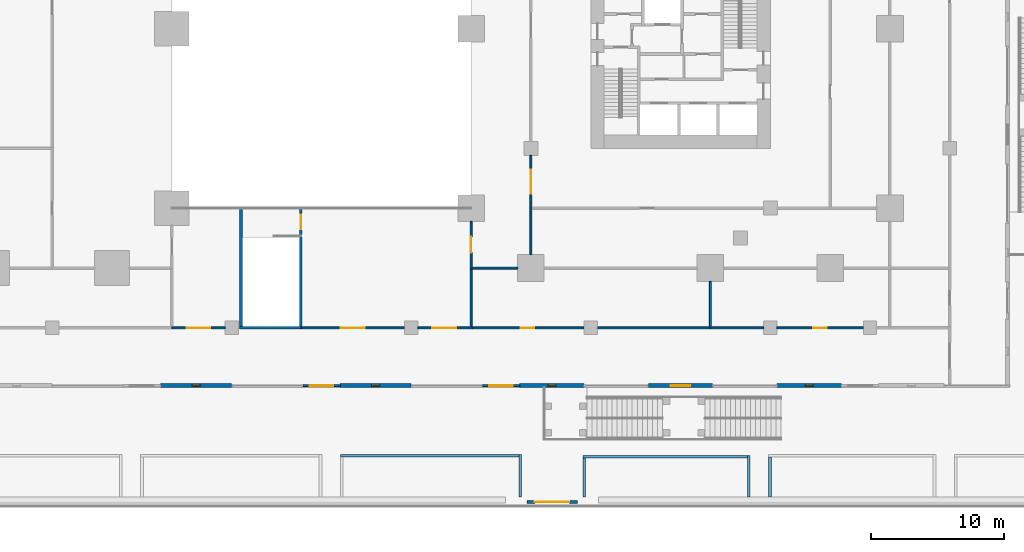
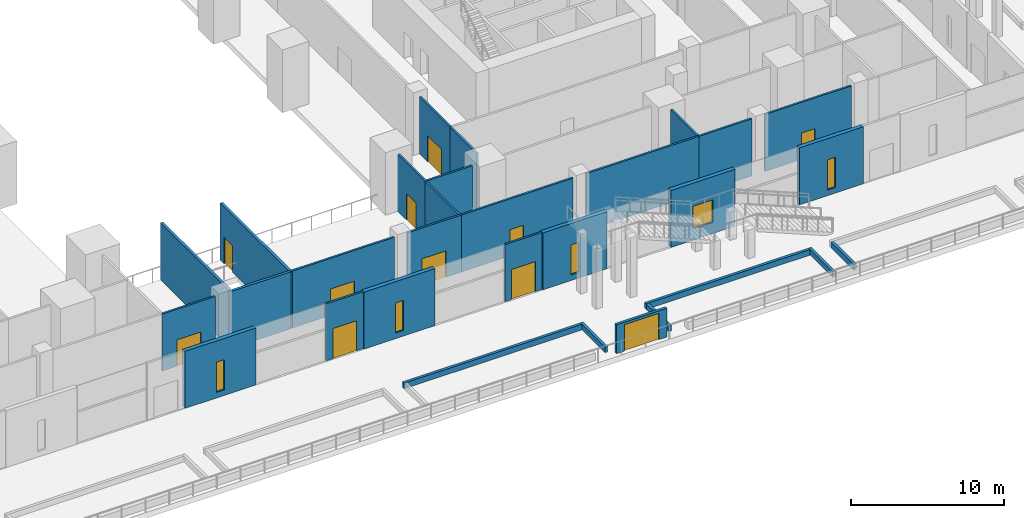
# One storey, part 34 of 49: 30 walls, 11 doors, 5 windows, 16 openings.
"""IFC4 building model written with IfcOpenShell, lengths in metres."""

import ifcopenshell
import ifcopenshell.guid

model = None  # the IFC model being written
_history = None  # IfcOwnerHistory: only IFC2X3 demands one
_inside = {}  # id of a spatial element -> (the spatial element, [elements in it])
_under = {}  # id of a project, library or spatial element -> (it, [spatial elements below it])
_declared = {}  # id of a project -> (the project, [libraries it declares])
_typed = {}  # id of a type object -> (the type object, [elements of that type])
_made_of = {}  # id of a material, layer set ... -> (it, [elements and type objects made of it])


def new_model(schema):
    """Start an empty IFC model of exactly this schema.

    Asked for "IFC4X3", IfcOpenShell would pick the latest addendum, in which some entities
    have other attributes; the version numbers below select the first issue.
    IFC2X3 requires an IfcOwnerHistory on every rooted entity: one is made here for all.
    """
    global model, _history
    if schema == "IFC4X3":
        model = ifcopenshell.file(schema_version=(4, 3, 0, 0))
    else:
        model = ifcopenshell.file(schema=schema)
    _inside.clear()
    _under.clear()
    _declared.clear()
    _typed.clear()
    _made_of.clear()
    _history = None
    if model.schema == "IFC2X3":
        org = make("IfcOrganization", Name="unknown")
        user = make(
            "IfcPersonAndOrganization",
            ThePerson=make("IfcPerson", FamilyName="unknown"),
            TheOrganization=org,
        )
        app = make(
            "IfcApplication",
            ApplicationDeveloper=org,
            Version="unknown",
            ApplicationFullName="unknown",
            ApplicationIdentifier="unknown",
        )
        _history = make(
            "IfcOwnerHistory",
            OwningUser=user,
            OwningApplication=app,
            ChangeAction="ADDED",
            CreationDate=0,
        )
    return model


def make(cls, **values):
    """One entity of the class cls with the attributes given. An attribute that is None is left unset."""
    return model.create_entity(
        cls, **{name: value for name, value in values.items() if value is not None}
    )


def rooted(cls, **values):
    """An entity with a GlobalId (a new one), such as an element, a storey or a relation."""
    return make(cls, GlobalId=ifcopenshell.guid.new(), OwnerHistory=_history, **values)


def si_unit(unit_type, name, prefix=None):
    """IfcSIUnit, for example si_unit("LENGTHUNIT", "METRE", prefix="MILLI")."""
    return make("IfcSIUnit", UnitType=unit_type, Prefix=prefix, Name=name)


def assignment(units):
    """IfcUnitAssignment: the units of a project."""
    return None if units is None else make("IfcUnitAssignment", Units=units)


def point(xyz):
    """IfcCartesianPoint."""
    return None if xyz is None else make("IfcCartesianPoint", Coordinates=xyz)


def direction(xyz):
    """IfcDirection."""
    return None if xyz is None else make("IfcDirection", DirectionRatios=xyz)


def frame(location, z_axis=None, x_axis=None):
    """IfcAxis2Placement3D, a coordinate frame: its origin and axes. An axis left out is left unset."""
    return make(
        "IfcAxis2Placement3D",
        Location=point(location),
        Axis=direction(z_axis),
        RefDirection=direction(x_axis),
    )


def frame_2d(location, x_axis=None):
    """IfcAxis2Placement2D, a coordinate frame in the plane: its origin and x axis."""
    return make(
        "IfcAxis2Placement2D", Location=point(location), RefDirection=direction(x_axis)
    )


def origin():
    """The frame at (0, 0, 0) with its axes left unset."""
    return frame((0.0, 0.0, 0.0))


def place(relative_to, where):
    """IfcLocalPlacement: puts the frame where relative to a parent placement (None: the world)."""
    return make(
        "IfcLocalPlacement", PlacementRelTo=relative_to, RelativePlacement=where
    )


def context(
    kind, dimensions, precision=None, world=None, true_north=None, identifier=None
):
    """IfcGeometricRepresentationContext, for example the 3D "Model" context."""
    return make(
        "IfcGeometricRepresentationContext",
        ContextIdentifier=identifier,
        ContextType=kind,
        CoordinateSpaceDimension=dimensions,
        Precision=precision,
        WorldCoordinateSystem=world,
        TrueNorth=true_north,
    )


def subcontext(parent, identifier, kind, view, scale=None):
    """IfcGeometricRepresentationSubContext, for example "Body" below "Model"."""
    return make(
        "IfcGeometricRepresentationSubContext",
        ContextIdentifier=identifier,
        ContextType=kind,
        ParentContext=parent,
        TargetScale=scale,
        TargetView=view,
    )


def project(units=None, contexts=None):
    """IfcProject with its units and contexts."""
    return rooted(
        "IfcProject",
        Name="project",
        RepresentationContexts=contexts,
        UnitsInContext=assignment(units),
    )


def spatial(cls, under=None, at=None, **own):
    """A site, building, storey or space (cls), placed at a placement, below another one or the project."""
    s = rooted(cls, ObjectPlacement=at, **own)
    if under is not None:
        _under.setdefault(under.id(), (under, []))[1].append(s)
    return s


def profile(cls, at=None, kind="AREA", **sizes):
    """A parametric profile (cls). Its sizes go by their IFC names, for example OverallWidth=200.0."""
    return make(cls, ProfileType=kind, Position=at, **sizes)


def rectangle(**sizes):
    """IfcRectangleProfileDef."""
    return profile("IfcRectangleProfileDef", **sizes)


def extrude(swept, where, along, depth):
    """IfcExtrudedAreaSolid: the profile swept, set in the frame where, extruded along a direction by depth."""
    return make(
        "IfcExtrudedAreaSolid",
        SweptArea=swept,
        Position=where,
        ExtrudedDirection=direction(along),
        Depth=depth,
    )


def shape(context_of_items, identifier, shape_type, items):
    """IfcShapeRepresentation: the items that make up one representation, for example the "Body"."""
    return make(
        "IfcShapeRepresentation",
        ContextOfItems=context_of_items,
        RepresentationIdentifier=identifier,
        RepresentationType=shape_type,
        Items=items,
    )


def material(Name=None, Category=None):
    """IfcMaterial."""
    return make("IfcMaterial", Name=Name, Category=Category)


def layer(
    of_material, thickness, ventilated=None, Name=None, Category=None, Priority=None
):
    """IfcMaterialLayer: one layer of a wall or slab, of a material (None: an air gap)."""
    return make(
        "IfcMaterialLayer",
        Material=of_material,
        LayerThickness=thickness,
        IsVentilated=ventilated,
        Name=Name,
        Category=Category,
        Priority=Priority,
    )


def layer_set(layers, Name=None):
    """IfcMaterialLayerSet."""
    return make("IfcMaterialLayerSet", MaterialLayers=layers, LayerSetName=Name)


def made_of(thing, what):
    """Note that an element or type object is made of a material, layer set ...; save() writes the relation."""
    if what is not None:
        _made_of.setdefault(what.id(), (what, []))[1].append(thing)
    return thing


def type_object(cls, material=None, **own):
    """A type object (cls), such as IfcWallType, which elements share."""
    return made_of(rooted(cls, **own), material)


def element(
    cls,
    number,
    at=None,
    inside=None,
    cuts=None,
    type_object=None,
    material=None,
    context=None,
    identifier="Body",
    shape_type=None,
    held_by="IfcProductDefinitionShape",
    body=None,
    shapes=None,
    **own,
):
    """One element of the class cls, such as IfcWall. Its Tag is "e" and its number.

    at: its placement. inside: the storey or other place that contains it. cuts: it is an
    opening in that element (IfcRelVoidsElement). A single representation is given by context,
    identifier, shape_type and body (its items); several are given by shapes. held_by: the class
    of the entity that holds the representations. save() writes the other relations.
    """
    e = rooted(cls, Tag="e%d" % number, ObjectPlacement=at, **own)
    if body is not None:
        shapes = [shape(context, identifier, shape_type, body)]
    if shapes is not None:
        e.Representation = make(held_by, Representations=shapes)
    if inside is not None:
        _inside.setdefault(inside.id(), (inside, []))[1].append(e)
    if cuts is not None:
        rooted(
            "IfcRelVoidsElement", RelatingBuildingElement=cuts, RelatedOpeningElement=e
        )
    if type_object is not None:
        _typed.setdefault(type_object.id(), (type_object, []))[1].append(e)
    return made_of(e, material)


def fill(opening, filler):
    """IfcRelFillsElement: the door or window that sits in an opening."""
    return rooted(
        "IfcRelFillsElement",
        RelatingOpeningElement=opening,
        RelatedBuildingElement=filler,
    )


def aggregate(whole, parts):
    """IfcRelAggregates: a whole, such as a stair, and the parts it consists of."""
    return rooted("IfcRelAggregates", RelatingObject=whole, RelatedObjects=parts)


def save(model, path):
    """Write the relations noted so far, then the file.

    IfcRelAggregates (storeys below a building ...), IfcRelContainedInSpatialStructure (elements
    in a storey), IfcRelDefinesByType, IfcRelAssociatesMaterial and IfcRelDeclares: one each for
    every whole, place, type object, material and project.
    """
    for whole, parts in _under.values():
        aggregate(whole, parts)
    for where, things in _inside.values():
        rooted(
            "IfcRelContainedInSpatialStructure",
            RelatedElements=things,
            RelatingStructure=where,
        )
    for kind, things in _typed.values():
        rooted("IfcRelDefinesByType", RelatedObjects=things, RelatingType=kind)
    for what, things in _made_of.values():
        rooted("IfcRelAssociatesMaterial", RelatedObjects=things, RelatingMaterial=what)
    for by, libraries in _declared.values():
        rooted("IfcRelDeclares", RelatingContext=by, RelatedDefinitions=libraries)
    model.write(path)


model = new_model("IFC4")

# Units and contexts
model_context = context("Model", 3, precision=1e-05, world=origin(), true_north=direction((0.0, 1.0)))
body_context = subcontext(model_context, "Body", "Model", "MODEL_VIEW")
ifc_project = project(units=[si_unit("LENGTHUNIT", "METRE"), si_unit("AREAUNIT", "SQUARE_METRE"), si_unit("VOLUMEUNIT", "CUBIC_METRE"), si_unit("PLANEANGLEUNIT", "RADIAN"), si_unit("MASSUNIT", "GRAM", prefix="KILO")], contexts=[model_context])

# Site, building, storey
site_placement = place(None, origin())
site = spatial("IfcSite", under=ifc_project, at=site_placement, CompositionType="ELEMENT")
building_placement = place(site_placement, origin())
building = spatial("IfcBuilding", under=site, at=building_placement, Name="Altepetl Exchange Towers", CompositionType="ELEMENT")
storey_placement = place(building_placement, frame((0.0, 0.0, 11.5)))
storey = spatial("IfcBuildingStorey", under=building, at=storey_placement, Name="L02 Exchange podium", CompositionType="ELEMENT", Elevation=11.5)

# Wall, opening, door
ifc_material_1 = material(Name="Reinforced concrete C35/45", Category="concrete")
ifc_layer_1 = layer(ifc_material_1, 0.199951171875)
ifc_layer_set_1 = layer_set([ifc_layer_1], Name="Reinforced concrete C35/45")
wall_type_1 = type_object("IfcWallType", Name="Garden gate screen wall 200", PredefinedType="SOLIDWALL", material=ifc_layer_set_1)
wall_1_placement = place(storey_placement, frame((98.699951171875, 9.39990234375, 0.0)))
wall_1 = element("IfcWall", 1, at=wall_1_placement, inside=storey, type_object=wall_type_1, Name="wall:P:L02:gateR1", PredefinedType="SOLIDWALL", context=body_context, shape_type="SweptSolid", body=[
    extrude(rectangle(XDim=3.800048828125, YDim=0.199951171875, at=frame_2d((1.89990234375, 0.0))), origin(), (0.0, 0.0, 1.0), 2.300048828125),
])
opening_1_placement = place(wall_1_placement, frame((0.60009765625, 0.0, 0.0)))
opening_1 = element("IfcOpeningElement", 2, at=opening_1_placement, cuts=wall_1, Name="Opening L02.P048", PredefinedType="OPENING", context=body_context, shape_type="SweptSolid", body=[
    extrude(rectangle(XDim=2.60009765625, YDim=2.10009765625, at=frame_2d((1.300048828125, 1.050048828125))), frame((0.0, 0.10986328125, 0.0), z_axis=(0.0, -1.0, 0.0), x_axis=(1.0, 0.0, 0.0)), (0.0, 0.0, 1.0), 0.219970703125),
])
ifc_material_2 = material(Name="Painted steel bars and timber", Category="steel")
door_type_1 = type_object("IfcDoorType", Name="Garden gate 2600 x 2100 double leaf", OperationType="DOUBLE_DOOR_SINGLE_SWING", PredefinedType="GATE", material=ifc_material_2)
door_1_placement = place(opening_1_placement, frame((2.60009765625, 0.0, 0.0), x_axis=(-1.0, 0.0, 0.0)))
door_1 = element("IfcDoor", 3, at=door_1_placement, inside=storey, type_object=door_type_1, Name="door:P:L02:048", OperationType="DOUBLE_DOOR_SINGLE_SWING", OverallHeight=2.10009765625, OverallWidth=2.60009765625, PredefinedType="GATE", context=body_context, shape_type="SweptSolid", body=[
    extrude(rectangle(XDim=2.60009765625, YDim=2.10009765625, at=frame_2d((1.300048828125, 1.050048828125))), frame((0.0, 0.02490234375, 0.0), z_axis=(0.0, -1.0, 0.0), x_axis=(1.0, 0.0, 0.0)), (0.0, 0.0, 1.0), 0.050048828125),
])
fill(opening_1, door_1)

ifc_material_3 = material(Name="Aluminium composite cladding", Category="aluminium")
ifc_layer_2 = layer(ifc_material_3, 0.14990234375)
ifc_layer_set_2 = layer_set([ifc_layer_2], Name="Aluminium composite cladding")
wall_type_2 = type_object("IfcWallType", Name="Infill wall 150 aluminium panel", PredefinedType="SOLIDWALL", material=ifc_layer_set_2)
wall_2_placement = place(storey_placement, frame((81.85009765625, 18.14990234375, 0.0)))
wall_2 = element("IfcWall", 4, at=wall_2_placement, inside=storey, type_object=wall_type_2, Name="Door bay wall", PredefinedType="SOLIDWALL", context=body_context, shape_type="SweptSolid", body=[
    extrude(rectangle(XDim=2.7998046875, YDim=0.14990234375, at=frame_2d((1.39990234375, 0.0))), origin(), (0.0, 0.0, 1.0), 4.550048828125),
])
opening_2_placement = place(wall_2_placement, frame((0.5, 0.0, 0.0)))
opening_2 = element("IfcOpeningElement", 5, at=opening_2_placement, cuts=wall_2, Name="Opening L02.E15", PredefinedType="OPENING", context=body_context, shape_type="SweptSolid", body=[
    extrude(rectangle(XDim=1.800048828125, YDim=2.39990234375, at=frame_2d((0.89990234375, 1.199951171875))), frame((0.0, 0.0849609375, 0.0), z_axis=(0.0, -1.0, 0.0), x_axis=(1.0, 0.0, 0.0)), (0.0, 0.0, 1.0), 0.169921875),
])
ifc_material_4 = material(Name="Aluminium 6063-T6 and glass", Category="aluminium")
door_type_2 = type_object("IfcDoorType", Name="Glazed door pair 1800x2400", OperationType="DOUBLE_DOOR_DOUBLE_SWING", PredefinedType="NOTDEFINED", material=ifc_material_4)
door_2_placement = place(opening_2_placement, frame((1.800048828125, 0.0, 0.0), x_axis=(-1.0, 0.0, 0.0)))
door_2 = element("IfcDoor", 6, at=door_2_placement, inside=storey, type_object=door_type_2, Name="Terrace door", OperationType="DOUBLE_DOOR_DOUBLE_SWING", OverallHeight=2.39990234375, OverallWidth=1.800048828125, PredefinedType="NOTDEFINED", context=body_context, shape_type="SweptSolid", body=[
    extrude(rectangle(XDim=1.800048828125, YDim=2.39990234375, at=frame_2d((0.89990234375, 1.199951171875))), frame((0.0, 0.02490234375, 0.0), z_axis=(0.0, -1.0, 0.0), x_axis=(1.0, 0.0, 0.0)), (0.0, 0.0, 1.0), 0.050048828125),
])
fill(opening_2, door_2)

wall_3_placement = place(storey_placement, frame((95.35009765625, 18.14990234375, 0.0)))
wall_3 = element("IfcWall", 7, at=wall_3_placement, inside=storey, type_object=wall_type_2, Name="Door bay wall", PredefinedType="SOLIDWALL", context=body_context, shape_type="SweptSolid", body=[
    extrude(rectangle(XDim=2.7998046875, YDim=0.14990234375, at=frame_2d((1.39990234375, 0.0))), origin(), (0.0, 0.0, 1.0), 4.550048828125),
])
opening_3_placement = place(wall_3_placement, frame((0.5, 0.0, 0.0)))
opening_3 = element("IfcOpeningElement", 8, at=opening_3_placement, cuts=wall_3, Name="Opening L02.E16", PredefinedType="OPENING", context=body_context, shape_type="SweptSolid", body=[
    extrude(rectangle(XDim=1.800048828125, YDim=2.39990234375, at=frame_2d((0.89990234375, 1.199951171875))), frame((0.0, 0.0849609375, 0.0), z_axis=(0.0, -1.0, 0.0), x_axis=(1.0, 0.0, 0.0)), (0.0, 0.0, 1.0), 0.169921875),
])
door_3_placement = place(opening_3_placement, frame((1.800048828125, 0.0, 0.0), x_axis=(-1.0, 0.0, 0.0)))
door_3 = element("IfcDoor", 9, at=door_3_placement, inside=storey, type_object=door_type_2, Name="Terrace door", OperationType="DOUBLE_DOOR_DOUBLE_SWING", OverallHeight=2.39990234375, OverallWidth=1.800048828125, PredefinedType="NOTDEFINED", context=body_context, shape_type="SweptSolid", body=[
    extrude(rectangle(XDim=1.800048828125, YDim=2.39990234375, at=frame_2d((0.89990234375, 1.199951171875))), frame((0.0, 0.02490234375, 0.0), z_axis=(0.0, -1.0, 0.0), x_axis=(1.0, 0.0, 0.0)), (0.0, 0.0, 1.0), 0.050048828125),
])
fill(opening_3, door_3)

# Walls
ifc_layer_3 = layer(ifc_material_1, 0.199951171875)
ifc_layer_set_3 = layer_set([ifc_layer_3], Name="Reinforced concrete C35/45")
wall_type_3 = type_object("IfcWallType", Name="Planting bed curb 200", PredefinedType="SOLIDWALL", material=ifc_layer_set_3)
wall_4_placement = place(storey_placement, frame((115.375, 9.77490234375, 0.0), z_axis=(0.0, 0.0, 1.0), x_axis=(0.0, 1.0, 0.0)))
element("IfcWall", 10, at=wall_4_placement, inside=storey, type_object=wall_type_3, Name="wall:P:L02:CB01e", PredefinedType="SOLIDWALL", context=body_context, shape_type="SweptSolid", body=[
    extrude(rectangle(XDim=3.125, YDim=0.199951171875, at=frame_2d((1.5625, 0.0))), origin(), (0.0, 0.0, 1.0), 0.449951171875),
])
wall_5_placement = place(storey_placement, frame((102.89990234375, 12.800048828125, 0.0)))
element("IfcWall", 11, at=wall_5_placement, inside=storey, type_object=wall_type_3, Name="wall:P:L02:CB01n", PredefinedType="SOLIDWALL", context=body_context, shape_type="SweptSolid", body=[
    extrude(rectangle(XDim=12.375, YDim=0.199951171875, at=frame_2d((6.1875, 0.0))), origin(), (0.0, 0.0, 1.0), 0.449951171875),
])
wall_6_placement = place(storey_placement, frame((103.0, 9.77490234375, 0.0), z_axis=(0.0, 0.0, 1.0), x_axis=(0.0, 1.0, 0.0)))
element("IfcWall", 12, at=wall_6_placement, inside=storey, type_object=wall_type_3, Name="wall:P:L02:CB01w", PredefinedType="SOLIDWALL", context=body_context, shape_type="SweptSolid", body=[
    extrude(rectangle(XDim=2.925048828125, YDim=0.199951171875, at=frame_2d((1.46240234375, 0.0))), origin(), (0.0, 0.0, 1.0), 0.449951171875),
])
wall_7_placement = place(storey_placement, frame((116.97509765625, 9.77490234375, 0.0), z_axis=(0.0, 0.0, 1.0), x_axis=(0.0, 1.0, 0.0)))
element("IfcWall", 13, at=wall_7_placement, inside=storey, type_object=wall_type_3, Name="wall:P:L02:CB02w", PredefinedType="SOLIDWALL", context=body_context, shape_type="SweptSolid", body=[
    extrude(rectangle(XDim=3.0, YDim=0.199951171875, at=frame_2d((1.5, 0.0))), origin(), (0.0, 0.0, 1.0), 0.449951171875),
])
wall_8_placement = place(storey_placement, frame((98.199951171875, 9.77490234375, 0.0), z_axis=(0.0, 0.0, 1.0), x_axis=(0.0, 1.0, 0.0)))
element("IfcWall", 14, at=wall_8_placement, inside=storey, type_object=wall_type_3, Name="wall:P:L02:CB09e", PredefinedType="SOLIDWALL", context=body_context, shape_type="SweptSolid", body=[
    extrude(rectangle(XDim=3.2001953125, YDim=0.199951171875, at=frame_2d((1.60009765625, 0.0))), origin(), (0.0, 0.0, 1.0), 0.449951171875),
])
wall_9_placement = place(storey_placement, frame((84.67919921875, 12.875, 0.0)))
element("IfcWall", 15, at=wall_9_placement, inside=storey, type_object=wall_type_3, Name="wall:P:L02:CB09n", PredefinedType="SOLIDWALL", context=body_context, shape_type="SweptSolid", body=[
    extrude(rectangle(XDim=13.4208984375, YDim=0.199951171875, at=frame_2d((6.71044921875, 0.0))), origin(), (0.0, 0.0, 1.0), 0.449951171875),
])

# Wall, opening, door
ifc_material_5 = material(Name="Gypsum board on steel studs", Category="steel")
ifc_layer_4 = layer(ifc_material_5, 0.14990234375)
ifc_layer_set_4 = layer_set([ifc_layer_4], Name="Gypsum board on steel studs")
wall_type_4 = type_object("IfcWallType", Name="Podium partition 150", PredefinedType="PARTITIONING", material=ifc_layer_set_4)
wall_10_placement = place(storey_placement, frame((81.800048828125, 22.5, 0.0)))
wall_10 = element("IfcWall", 16, at=wall_10_placement, inside=storey, type_object=wall_type_4, Name="wall:P:L02:P015", PredefinedType="PARTITIONING", context=body_context, shape_type="SweptSolid", body=[
    extrude(rectangle(XDim=7.704833984375, YDim=0.14990234375, at=frame_2d((3.8525390625, 0.0))), origin(), (0.0, 0.0, 1.0), 4.550048828125),
])
opening_4_placement = place(wall_10_placement, frame((2.89990234375, 0.0, 0.0)))
opening_4 = element("IfcOpeningElement", 17, at=opening_4_placement, cuts=wall_10, Name="Opening L02.P030", PredefinedType="OPENING", context=body_context, shape_type="SweptSolid", body=[
    extrude(rectangle(XDim=1.800048828125, YDim=2.10009765625, at=frame_2d((0.89990234375, 1.050048828125))), frame((0.0, 0.0849609375, 0.0), z_axis=(0.0, -1.0, 0.0), x_axis=(1.0, 0.0, 0.0)), (0.0, 0.0, 1.0), 0.169921875),
])
ifc_material_6 = material(Name="Glazed aluminium and steel", Category="steel")
door_type_3 = type_object("IfcDoorType", Name="Podium fire door 1800 x 2100 double leaf", OperationType="DOUBLE_DOOR_SINGLE_SWING", PredefinedType="DOOR", material=ifc_material_6)
door_4_placement = place(opening_4_placement, origin())
door_4 = element("IfcDoor", 18, at=door_4_placement, inside=storey, type_object=door_type_3, Name="door:P:L02:030", OperationType="DOUBLE_DOOR_SINGLE_SWING", OverallHeight=2.10009765625, OverallWidth=1.800048828125, PredefinedType="DOOR", context=body_context, shape_type="SweptSolid", body=[
    extrude(rectangle(XDim=1.800048828125, YDim=2.10009765625, at=frame_2d((0.89990234375, 1.050048828125))), frame((0.0, 0.02490234375, 0.0), z_axis=(0.0, -1.0, 0.0), x_axis=(1.0, 0.0, 0.0)), (0.0, 0.0, 1.0), 0.050048828125),
])
fill(opening_4, door_4)

wall_11_placement = place(storey_placement, frame((90.4951171875, 22.5, 0.0)))
wall_11 = element("IfcWall", 19, at=wall_11_placement, inside=storey, type_object=wall_type_4, Name="wall:P:L02:P016", PredefinedType="PARTITIONING", context=body_context, shape_type="SweptSolid", body=[
    extrude(rectangle(XDim=4.079833984375, YDim=0.14990234375, at=frame_2d((2.0400390625, 0.0))), origin(), (0.0, 0.0, 1.0), 4.550048828125),
])
opening_5_placement = place(wall_11_placement, frame((1.10009765625, 0.0, 0.0)))
opening_5 = element("IfcOpeningElement", 20, at=opening_5_placement, cuts=wall_11, Name="Opening L02.P031", PredefinedType="OPENING", context=body_context, shape_type="SweptSolid", body=[
    extrude(rectangle(XDim=1.800048828125, YDim=2.10009765625, at=frame_2d((0.89990234375, 1.050048828125))), frame((0.0, 0.0849609375, 0.0), z_axis=(0.0, -1.0, 0.0), x_axis=(1.0, 0.0, 0.0)), (0.0, 0.0, 1.0), 0.169921875),
])
door_5_placement = place(opening_5_placement, origin())
door_5 = element("IfcDoor", 21, at=door_5_placement, inside=storey, type_object=door_type_3, Name="door:P:L02:031", OperationType="DOUBLE_DOOR_SINGLE_SWING", OverallHeight=2.10009765625, OverallWidth=1.800048828125, PredefinedType="DOOR", context=body_context, shape_type="SweptSolid", body=[
    extrude(rectangle(XDim=1.800048828125, YDim=2.10009765625, at=frame_2d((0.89990234375, 1.050048828125))), frame((0.0, 0.02490234375, 0.0), z_axis=(0.0, -1.0, 0.0), x_axis=(1.0, 0.0, 0.0)), (0.0, 0.0, 1.0), 0.050048828125),
])
fill(opening_5, door_5)

wall_12_placement = place(storey_placement, frame((94.5, 22.5, 0.0)))
wall_12 = element("IfcWall", 22, at=wall_12_placement, inside=storey, type_object=wall_type_4, Name="wall:P:L02:P022", PredefinedType="PARTITIONING", context=body_context, shape_type="SweptSolid", body=[
    extrude(rectangle(XDim=8.5048828125, YDim=0.14990234375, at=frame_2d((4.25244140625, 0.0))), origin(), (0.0, 0.0, 1.0), 4.550048828125),
])
opening_6_placement = place(wall_12_placement, frame((3.75, 0.0, 0.0)))
opening_6 = element("IfcOpeningElement", 23, at=opening_6_placement, cuts=wall_12, Name="Opening L02.P016", PredefinedType="OPENING", context=body_context, shape_type="SweptSolid", body=[
    extrude(rectangle(XDim=1.0, YDim=2.10009765625, at=frame_2d((0.5, 1.050048828125))), frame((0.0, 0.0849609375, 0.0), z_axis=(0.0, -1.0, 0.0), x_axis=(1.0, 0.0, 0.0)), (0.0, 0.0, 1.0), 0.169921875),
])
ifc_material_7 = material(Name="Steel and timber fire door", Category="steel")
door_type_4 = type_object("IfcDoorType", Name="Podium fire door 1000 x 2100 single leaf", OperationType="SINGLE_SWING_LEFT", PredefinedType="DOOR", material=ifc_material_7)
door_6_placement = place(opening_6_placement, origin())
door_6 = element("IfcDoor", 24, at=door_6_placement, inside=storey, type_object=door_type_4, Name="door:P:L02:016", OperationType="SINGLE_SWING_LEFT", OverallHeight=2.10009765625, OverallWidth=1.0, PredefinedType="DOOR", context=body_context, shape_type="SweptSolid", body=[
    extrude(rectangle(XDim=1.0, YDim=2.10009765625, at=frame_2d((0.5, 1.050048828125))), frame((0.0, 0.02490234375, 0.0), z_axis=(0.0, -1.0, 0.0), x_axis=(1.0, 0.0, 0.0)), (0.0, 0.0, 1.0), 0.050048828125),
])
fill(opening_6, door_6)

# Walls
wall_13_placement = place(storey_placement, frame((103.9951171875, 22.5, 0.0)))
element("IfcWall", 25, at=wall_13_placement, inside=storey, type_object=wall_type_4, Name="wall:P:L02:P023", PredefinedType="PARTITIONING", context=body_context, shape_type="SweptSolid", body=[
    extrude(rectangle(XDim=8.579833984375, YDim=0.14990234375, at=frame_2d((4.2900390625, 0.0))), origin(), (0.0, 0.0, 1.0), 4.550048828125),
])
wall_14_placement = place(storey_placement, frame((112.5, 22.5, 0.0)))
element("IfcWall", 26, at=wall_14_placement, inside=storey, type_object=wall_type_4, Name="wall:P:L02:P024", PredefinedType="PARTITIONING", context=body_context, shape_type="SweptSolid", body=[
    extrude(rectangle(XDim=4.0048828125, YDim=0.14990234375, at=frame_2d((2.00244140625, 0.0))), origin(), (0.0, 0.0, 1.0), 4.550048828125),
])

# Wall, opening, door
wall_15_placement = place(storey_placement, frame((117.4951171875, 22.5, 0.0)))
wall_15 = element("IfcWall", 27, at=wall_15_placement, inside=storey, type_object=wall_type_4, Name="wall:P:L02:P025", PredefinedType="PARTITIONING", context=body_context, shape_type="SweptSolid", body=[
    extrude(rectangle(XDim=6.509765625, YDim=0.14990234375, at=frame_2d((3.2548828125, 0.0))), origin(), (0.0, 0.0, 1.0), 4.550048828125),
])
opening_7_placement = place(wall_15_placement, frame((2.75, 0.0, 0.0)))
opening_7 = element("IfcOpeningElement", 28, at=opening_7_placement, cuts=wall_15, Name="Opening L02.P017", PredefinedType="OPENING", context=body_context, shape_type="SweptSolid", body=[
    extrude(rectangle(XDim=1.0, YDim=2.10009765625, at=frame_2d((0.5, 1.050048828125))), frame((0.0, 0.0849609375, 0.0), z_axis=(0.0, -1.0, 0.0), x_axis=(1.0, 0.0, 0.0)), (0.0, 0.0, 1.0), 0.169921875),
])
door_7_placement = place(opening_7_placement, origin())
door_7 = element("IfcDoor", 29, at=door_7_placement, inside=storey, type_object=door_type_4, Name="door:P:L02:017", OperationType="SINGLE_SWING_LEFT", OverallHeight=2.10009765625, OverallWidth=1.0, PredefinedType="DOOR", context=body_context, shape_type="SweptSolid", body=[
    extrude(rectangle(XDim=1.0, YDim=2.10009765625, at=frame_2d((0.5, 1.050048828125))), frame((0.0, 0.02490234375, 0.0), z_axis=(0.0, -1.0, 0.0), x_axis=(1.0, 0.0, 0.0)), (0.0, 0.0, 1.0), 0.050048828125),
])
fill(opening_7, door_7)

wall_16_placement = place(storey_placement, frame((72.0, 22.5, 0.0)))
wall_16 = element("IfcWall", 30, at=wall_16_placement, inside=storey, type_object=wall_type_4, Name="wall:P:L02:P028", PredefinedType="PARTITIONING", context=body_context, shape_type="SweptSolid", body=[
    extrude(rectangle(XDim=4.0048828125, YDim=0.14990234375, at=frame_2d((2.00244140625, 0.0))), origin(), (0.0, 0.0, 1.0), 4.550048828125),
])
opening_8_placement = place(wall_16_placement, frame((1.10009765625, 0.0, 0.0)))
opening_8 = element("IfcOpeningElement", 31, at=opening_8_placement, cuts=wall_16, Name="Opening L02.P032", PredefinedType="OPENING", context=body_context, shape_type="SweptSolid", body=[
    extrude(rectangle(XDim=1.800048828125, YDim=2.10009765625, at=frame_2d((0.89990234375, 1.050048828125))), frame((0.0, 0.0849609375, 0.0), z_axis=(0.0, -1.0, 0.0), x_axis=(1.0, 0.0, 0.0)), (0.0, 0.0, 1.0), 0.169921875),
])
door_8_placement = place(opening_8_placement, origin())
door_8 = element("IfcDoor", 32, at=door_8_placement, inside=storey, type_object=door_type_3, Name="door:P:L02:032", OperationType="DOUBLE_DOOR_SINGLE_SWING", OverallHeight=2.10009765625, OverallWidth=1.800048828125, PredefinedType="DOOR", context=body_context, shape_type="SweptSolid", body=[
    extrude(rectangle(XDim=1.800048828125, YDim=2.10009765625, at=frame_2d((0.89990234375, 1.050048828125))), frame((0.0, 0.02490234375, 0.0), z_axis=(0.0, -1.0, 0.0), x_axis=(1.0, 0.0, 0.0)), (0.0, 0.0, 1.0), 0.050048828125),
])
fill(opening_8, door_8)

wall_17_placement = place(storey_placement, frame((94.5, 26.925048828125, 0.0), z_axis=(0.0, 0.0, 1.0), x_axis=(0.0, 1.0, 0.0)))
wall_17 = element("IfcWall", 33, at=wall_17_placement, inside=storey, type_object=wall_type_4, Name="wall:P:L02:P043", PredefinedType="PARTITIONING", context=body_context, shape_type="SweptSolid", body=[
    extrude(rectangle(XDim=3.579833984375, YDim=0.14990234375, at=frame_2d((1.7900390625, 0.0))), origin(), (0.0, 0.0, 1.0), 4.550048828125),
])
opening_9_placement = place(wall_17_placement, frame((1.22509765625, 0.0, 0.0)))
opening_9 = element("IfcOpeningElement", 34, at=opening_9_placement, cuts=wall_17, Name="Opening L02.P038", PredefinedType="OPENING", context=body_context, shape_type="SweptSolid", body=[
    extrude(rectangle(XDim=1.199951171875, YDim=2.10009765625, at=frame_2d((0.60009765625, 1.050048828125))), frame((0.0, 0.0849609375, 0.0), z_axis=(0.0, -1.0, 0.0), x_axis=(1.0, 0.0, 0.0)), (0.0, 0.0, 1.0), 0.169921875),
])
ifc_material_8 = material(Name="Steel fire door", Category="steel")
door_type_5 = type_object("IfcDoorType", Name="Podium fire door 1200 x 2100 double leaf", OperationType="DOUBLE_DOOR_SINGLE_SWING", PredefinedType="DOOR", material=ifc_material_8)
door_9_placement = place(opening_9_placement, origin())
door_9 = element("IfcDoor", 35, at=door_9_placement, inside=storey, type_object=door_type_5, Name="door:P:L02:038", OperationType="DOUBLE_DOOR_SINGLE_SWING", OverallHeight=2.10009765625, OverallWidth=1.199951171875, PredefinedType="DOOR", context=body_context, shape_type="SweptSolid", body=[
    extrude(rectangle(XDim=1.199951171875, YDim=2.10009765625, at=frame_2d((0.60009765625, 1.050048828125))), frame((0.0, 0.02490234375, 0.0), z_axis=(0.0, -1.0, 0.0), x_axis=(1.0, 0.0, 0.0)), (0.0, 0.0, 1.0), 0.050048828125),
])
fill(opening_9, door_9)

# Wall
wall_18_placement = place(storey_placement, frame((94.5, 22.574951171875, 0.0), z_axis=(0.0, 0.0, 1.0), x_axis=(0.0, 1.0, 0.0)))
element("IfcWall", 36, at=wall_18_placement, inside=storey, type_object=wall_type_4, Name="wall:P:L02:P044", PredefinedType="PARTITIONING", context=body_context, shape_type="SweptSolid", body=[
    extrude(rectangle(XDim=4.425048828125, YDim=0.14990234375, at=frame_2d((2.21240234375, 0.0))), origin(), (0.0, 0.0, 1.0), 4.550048828125),
])

# Wall, opening, door
wall_19_placement = place(storey_placement, frame((99.0, 31.425048828125, 0.0), z_axis=(0.0, 0.0, 1.0), x_axis=(0.0, 1.0, 0.0)))
wall_19 = element("IfcWall", 37, at=wall_19_placement, inside=storey, type_object=wall_type_4, Name="wall:P:L02:P098", PredefinedType="PARTITIONING", context=body_context, shape_type="SweptSolid", body=[
    extrude(rectangle(XDim=4.054931640625, YDim=0.14990234375, at=frame_2d((2.02734375, 0.0))), origin(), (0.0, 0.0, 1.0), 4.550048828125),
])
opening_10_placement = place(wall_19_placement, frame((1.175048828125, 0.0, 0.0)))
opening_10 = element("IfcOpeningElement", 38, at=opening_10_placement, cuts=wall_19, Name="Opening L02.P045", PredefinedType="OPENING", context=body_context, shape_type="SweptSolid", body=[
    extrude(rectangle(XDim=1.800048828125, YDim=2.10009765625, at=frame_2d((0.89990234375, 1.050048828125))), frame((0.0, 0.0849609375, 0.0), z_axis=(0.0, -1.0, 0.0), x_axis=(1.0, 0.0, 0.0)), (0.0, 0.0, 1.0), 0.169921875),
])
door_10_placement = place(opening_10_placement, origin())
door_10 = element("IfcDoor", 39, at=door_10_placement, inside=storey, type_object=door_type_3, Name="door:P:L02:045", OperationType="DOUBLE_DOOR_SINGLE_SWING", OverallHeight=2.10009765625, OverallWidth=1.800048828125, PredefinedType="DOOR", context=body_context, shape_type="SweptSolid", body=[
    extrude(rectangle(XDim=1.800048828125, YDim=2.10009765625, at=frame_2d((0.89990234375, 1.050048828125))), frame((0.0, 0.02490234375, 0.0), z_axis=(0.0, -1.0, 0.0), x_axis=(1.0, 0.0, 0.0)), (0.0, 0.0, 1.0), 0.050048828125),
])
fill(opening_10, door_10)

# Walls
wall_20_placement = place(storey_placement, frame((99.0, 27.9951171875, 0.0), z_axis=(0.0, 0.0, 1.0), x_axis=(0.0, 1.0, 0.0)))
element("IfcWall", 40, at=wall_20_placement, inside=storey, type_object=wall_type_4, Name="wall:P:L02:P100", PredefinedType="PARTITIONING", context=body_context, shape_type="SweptSolid", body=[
    extrude(rectangle(XDim=3.5048828125, YDim=0.14990234375, at=frame_2d((1.75244140625, 0.0))), origin(), (0.0, 0.0, 1.0), 4.550048828125),
])
wall_21_placement = place(storey_placement, frame((94.574951171875, 27.0, 0.0)))
element("IfcWall", 41, at=wall_21_placement, inside=storey, type_object=wall_type_4, Name="wall:P:L02:P102", PredefinedType="PARTITIONING", context=body_context, shape_type="SweptSolid", body=[
    extrude(rectangle(XDim=3.429931640625, YDim=0.14990234375, at=frame_2d((1.71484375, 0.0))), origin(), (0.0, 0.0, 1.0), 4.550048828125),
])
wall_22_placement = place(storey_placement, frame((112.5, 22.574951171875, 0.0), z_axis=(0.0, 0.0, 1.0), x_axis=(0.0, 1.0, 0.0)))
element("IfcWall", 42, at=wall_22_placement, inside=storey, type_object=wall_type_4, Name="wall:P:L02:P122", PredefinedType="PARTITIONING", context=body_context, shape_type="SweptSolid", body=[
    extrude(rectangle(XDim=3.429931640625, YDim=0.14990234375, at=frame_2d((1.71484375, 0.0))), origin(), (0.0, 0.0, 1.0), 4.550048828125),
])
ifc_layer_5 = layer(ifc_material_1, 0.199951171875)
ifc_layer_set_5 = layer_set([ifc_layer_5], Name="Reinforced concrete C35/45")
wall_type_5 = type_object("IfcWallType", Name="Stair enclosure wall 200", PredefinedType="SOLIDWALL", material=ifc_layer_set_5)
wall_23_placement = place(storey_placement, frame((77.10009765625, 22.5, 0.0)))
element("IfcWall", 43, at=wall_23_placement, inside=storey, type_object=wall_type_5, Name="wall:P:L02:P029", PredefinedType="SOLIDWALL", context=body_context, shape_type="SweptSolid", body=[
    extrude(rectangle(XDim=4.599853515625, YDim=0.199951171875, at=frame_2d((2.2998046875, 0.0))), origin(), (0.0, 0.0, 1.0), 4.550048828125),
])

# Wall, opening, door
wall_24_placement = place(storey_placement, frame((81.699951171875, 22.425048828125, 0.0), z_axis=(0.0, 0.0, 1.0), x_axis=(0.0, 1.0, 0.0)))
wall_24 = element("IfcWall", 44, at=wall_24_placement, inside=storey, type_object=wall_type_5, Name="wall:P:L02:P045", PredefinedType="SOLIDWALL", context=body_context, shape_type="SweptSolid", body=[
    extrude(rectangle(XDim=9.074951171875, YDim=0.199951171875, at=frame_2d((4.53759765625, 0.0))), origin(), (0.0, 0.0, 1.0), 4.550048828125),
])
opening_11_placement = place(wall_24_placement, frame((7.47509765625, 0.0, 0.0)))
opening_11 = element("IfcOpeningElement", 45, at=opening_11_placement, cuts=wall_24, Name="Opening L02.P022", PredefinedType="OPENING", context=body_context, shape_type="SweptSolid", body=[
    extrude(rectangle(XDim=1.10009765625, YDim=2.10009765625, at=frame_2d((0.550048828125, 1.050048828125))), frame((0.0, 0.10986328125, 0.0), z_axis=(0.0, -1.0, 0.0), x_axis=(1.0, 0.0, 0.0)), (0.0, 0.0, 1.0), 0.219970703125),
])
door_type_6 = type_object("IfcDoorType", Name="Podium fire door 1100 x 2100 single leaf", OperationType="SINGLE_SWING_LEFT", PredefinedType="DOOR", material=ifc_material_8)
door_11_placement = place(opening_11_placement, origin())
door_11 = element("IfcDoor", 46, at=door_11_placement, inside=storey, type_object=door_type_6, Name="door:P:L02:022", OperationType="SINGLE_SWING_LEFT", OverallHeight=2.10009765625, OverallWidth=1.10009765625, PredefinedType="DOOR", context=body_context, shape_type="SweptSolid", body=[
    extrude(rectangle(XDim=1.10009765625, YDim=2.10009765625, at=frame_2d((0.550048828125, 1.050048828125))), frame((0.0, 0.02490234375, 0.0), z_axis=(0.0, -1.0, 0.0), x_axis=(1.0, 0.0, 0.0)), (0.0, 0.0, 1.0), 0.050048828125),
])
fill(opening_11, door_11)

# Wall
wall_25_placement = place(storey_placement, frame((77.199951171875, 22.60009765625, 0.0), z_axis=(0.0, 0.0, 1.0), x_axis=(0.0, 1.0, 0.0)))
element("IfcWall", 47, at=wall_25_placement, inside=storey, type_object=wall_type_5, Name="wall:P:L02:P135", PredefinedType="SOLIDWALL", context=body_context, shape_type="SweptSolid", body=[
    extrude(rectangle(XDim=8.89990234375, YDim=0.199951171875, at=frame_2d((4.449951171875, 0.0))), origin(), (0.0, 0.0, 1.0), 4.550048828125),
])

# Wall, opening, window
ifc_material_9 = material(Name="Cantera limestone cladding", Category="masonry")
ifc_layer_6 = layer(ifc_material_9, 0.300048828125)
ifc_layer_set_6 = layer_set([ifc_layer_6], Name="Cantera limestone cladding")
wall_type_6 = type_object("IfcWallType", Name="Stone wall panel 300", PredefinedType="ELEMENTEDWALL", material=ifc_layer_set_6)
wall_26_placement = place(storey_placement, frame((71.14990234375, 18.14990234375, 0.0)))
wall_26 = element("IfcWall", 48, at=wall_26_placement, inside=storey, type_object=wall_type_6, Name="Stone wall panel", PredefinedType="ELEMENTEDWALL", context=body_context, shape_type="SweptSolid", body=[
    extrude(rectangle(XDim=5.35009765625, YDim=0.300048828125, at=frame_2d((2.675048828125, 0.0))), origin(), (0.0, 0.0, 1.0), 4.550048828125),
])
opening_12_placement = place(wall_26_placement, frame((2.375, 0.0, 0.449951171875)))
opening_12 = element("IfcOpeningElement", 49, at=opening_12_placement, cuts=wall_26, Name="Opening W3", PredefinedType="OPENING", context=body_context, shape_type="SweptSolid", body=[
    extrude(rectangle(XDim=0.60009765625, YDim=2.39990234375, at=frame_2d((0.300048828125, 1.199951171875))), frame((0.0, 0.16015625, 0.0), z_axis=(0.0, -1.0, 0.0), x_axis=(1.0, 0.0, 0.0)), (0.0, 0.0, 1.0), 0.320068359375),
])
window_type_1 = type_object("IfcWindowType", Name="Tall slot window 600x2400", PartitioningType="SINGLE_PANEL", PredefinedType="WINDOW", material=ifc_material_4)
window_1_placement = place(opening_12_placement, origin())
window_1 = element("IfcWindow", 50, at=window_1_placement, inside=storey, type_object=window_type_1, Name="Window", OverallHeight=2.39990234375, OverallWidth=0.60009765625, PartitioningType="SINGLE_PANEL", PredefinedType="WINDOW", context=body_context, shape_type="SweptSolid", body=[
    extrude(rectangle(XDim=0.60009765625, YDim=2.39990234375, at=frame_2d((0.300048828125, 1.199951171875))), frame((0.0, 0.030029296875, 0.0), z_axis=(0.0, -1.0, 0.0), x_axis=(1.0, 0.0, 0.0)), (0.0, 0.0, 1.0), 0.06005859375),
])
fill(opening_12, window_1)

wall_27_placement = place(storey_placement, frame((84.64990234375, 18.14990234375, 0.0)))
wall_27 = element("IfcWall", 51, at=wall_27_placement, inside=storey, type_object=wall_type_6, Name="Stone wall panel", PredefinedType="ELEMENTEDWALL", context=body_context, shape_type="SweptSolid", body=[
    extrude(rectangle(XDim=5.35009765625, YDim=0.300048828125, at=frame_2d((2.675048828125, 0.0))), origin(), (0.0, 0.0, 1.0), 4.550048828125),
])
opening_13_placement = place(wall_27_placement, frame((2.375, 0.0, 0.449951171875)))
opening_13 = element("IfcOpeningElement", 52, at=opening_13_placement, cuts=wall_27, Name="Opening W3", PredefinedType="OPENING", context=body_context, shape_type="SweptSolid", body=[
    extrude(rectangle(XDim=0.60009765625, YDim=2.39990234375, at=frame_2d((0.300048828125, 1.199951171875))), frame((0.0, 0.16015625, 0.0), z_axis=(0.0, -1.0, 0.0), x_axis=(1.0, 0.0, 0.0)), (0.0, 0.0, 1.0), 0.320068359375),
])
window_2_placement = place(opening_13_placement, origin())
window_2 = element("IfcWindow", 53, at=window_2_placement, inside=storey, type_object=window_type_1, Name="Window", OverallHeight=2.39990234375, OverallWidth=0.60009765625, PartitioningType="SINGLE_PANEL", PredefinedType="WINDOW", context=body_context, shape_type="SweptSolid", body=[
    extrude(rectangle(XDim=0.60009765625, YDim=2.39990234375, at=frame_2d((0.300048828125, 1.199951171875))), frame((0.0, 0.030029296875, 0.0), z_axis=(0.0, -1.0, 0.0), x_axis=(1.0, 0.0, 0.0)), (0.0, 0.0, 1.0), 0.06005859375),
])
fill(opening_13, window_2)

wall_28_placement = place(storey_placement, frame((98.14990234375, 18.14990234375, 0.0)))
wall_28 = element("IfcWall", 54, at=wall_28_placement, inside=storey, type_object=wall_type_6, Name="Stone wall panel", PredefinedType="ELEMENTEDWALL", context=body_context, shape_type="SweptSolid", body=[
    extrude(rectangle(XDim=4.840087890625, YDim=0.300048828125, at=frame_2d((2.419921875, 0.0))), origin(), (0.0, 0.0, 1.0), 4.550048828125),
])
opening_14_placement = place(wall_28_placement, frame((2.1201171875, 0.0, 0.449951171875)))
opening_14 = element("IfcOpeningElement", 55, at=opening_14_placement, cuts=wall_28, Name="Opening W3", PredefinedType="OPENING", context=body_context, shape_type="SweptSolid", body=[
    extrude(rectangle(XDim=0.60009765625, YDim=2.39990234375, at=frame_2d((0.300048828125, 1.199951171875))), frame((0.0, 0.16015625, 0.0), z_axis=(0.0, -1.0, 0.0), x_axis=(1.0, 0.0, 0.0)), (0.0, 0.0, 1.0), 0.320068359375),
])
window_3_placement = place(opening_14_placement, origin())
window_3 = element("IfcWindow", 56, at=window_3_placement, inside=storey, type_object=window_type_1, Name="Window", OverallHeight=2.39990234375, OverallWidth=0.60009765625, PartitioningType="SINGLE_PANEL", PredefinedType="WINDOW", context=body_context, shape_type="SweptSolid", body=[
    extrude(rectangle(XDim=0.60009765625, YDim=2.39990234375, at=frame_2d((0.300048828125, 1.199951171875))), frame((0.0, 0.030029296875, 0.0), z_axis=(0.0, -1.0, 0.0), x_axis=(1.0, 0.0, 0.0)), (0.0, 0.0, 1.0), 0.06005859375),
])
fill(opening_14, window_3)

wall_29_placement = place(storey_placement, frame((107.830078125, 18.14990234375, 0.0)))
wall_29 = element("IfcWall", 57, at=wall_29_placement, inside=storey, type_object=wall_type_6, Name="Stone wall panel", PredefinedType="ELEMENTEDWALL", context=body_context, shape_type="SweptSolid", body=[
    extrude(rectangle(XDim=4.83984375, YDim=0.300048828125, at=frame_2d((2.419921875, 0.0))), origin(), (0.0, 0.0, 1.0), 4.550048828125),
])
opening_15_placement = place(wall_29_placement, frame((1.669921875, 0.0, 0.89990234375)))
opening_15 = element("IfcOpeningElement", 58, at=opening_15_placement, cuts=wall_29, Name="Opening W2", PredefinedType="OPENING", context=body_context, shape_type="SweptSolid", body=[
    extrude(rectangle(XDim=1.5, YDim=1.800048828125, at=frame_2d((0.75, 0.89990234375))), frame((0.0, 0.16015625, 0.0), z_axis=(0.0, -1.0, 0.0), x_axis=(1.0, 0.0, 0.0)), (0.0, 0.0, 1.0), 0.320068359375),
])
ifc_material_10 = material(Name="Timber and glass", Category="wood")
window_type_2 = type_object("IfcWindowType", Name="Punched window 1500x1800", PartitioningType="SINGLE_PANEL", PredefinedType="WINDOW", material=ifc_material_10)
window_4_placement = place(opening_15_placement, origin())
window_4 = element("IfcWindow", 59, at=window_4_placement, inside=storey, type_object=window_type_2, Name="Window", OverallHeight=1.800048828125, OverallWidth=1.5, PartitioningType="SINGLE_PANEL", PredefinedType="WINDOW", context=body_context, shape_type="SweptSolid", body=[
    extrude(rectangle(XDim=1.5, YDim=1.800048828125, at=frame_2d((0.75, 0.89990234375))), frame((0.0, 0.030029296875, 0.0), z_axis=(0.0, -1.0, 0.0), x_axis=(1.0, 0.0, 0.0)), (0.0, 0.0, 1.0), 0.06005859375),
])
fill(opening_15, window_4)

wall_30_placement = place(storey_placement, frame((117.510009765625, 18.14990234375, 0.0)))
wall_30 = element("IfcWall", 60, at=wall_30_placement, inside=storey, type_object=wall_type_6, Name="Stone wall panel", PredefinedType="ELEMENTEDWALL", context=body_context, shape_type="SweptSolid", body=[
    extrude(rectangle(XDim=4.840087890625, YDim=0.300048828125, at=frame_2d((2.419921875, 0.0))), origin(), (0.0, 0.0, 1.0), 4.550048828125),
])
opening_16_placement = place(wall_30_placement, frame((2.1201171875, 0.0, 0.449951171875)))
opening_16 = element("IfcOpeningElement", 61, at=opening_16_placement, cuts=wall_30, Name="Opening W3", PredefinedType="OPENING", context=body_context, shape_type="SweptSolid", body=[
    extrude(rectangle(XDim=0.60009765625, YDim=2.39990234375, at=frame_2d((0.300048828125, 1.199951171875))), frame((0.0, 0.16015625, 0.0), z_axis=(0.0, -1.0, 0.0), x_axis=(1.0, 0.0, 0.0)), (0.0, 0.0, 1.0), 0.320068359375),
])
window_5_placement = place(opening_16_placement, origin())
window_5 = element("IfcWindow", 62, at=window_5_placement, inside=storey, type_object=window_type_1, Name="Window", OverallHeight=2.39990234375, OverallWidth=0.60009765625, PartitioningType="SINGLE_PANEL", PredefinedType="WINDOW", context=body_context, shape_type="SweptSolid", body=[
    extrude(rectangle(XDim=0.60009765625, YDim=2.39990234375, at=frame_2d((0.300048828125, 1.199951171875))), frame((0.0, 0.030029296875, 0.0), z_axis=(0.0, -1.0, 0.0), x_axis=(1.0, 0.0, 0.0)), (0.0, 0.0, 1.0), 0.06005859375),
])
fill(opening_16, window_5)

save(model, "model.ifc")
